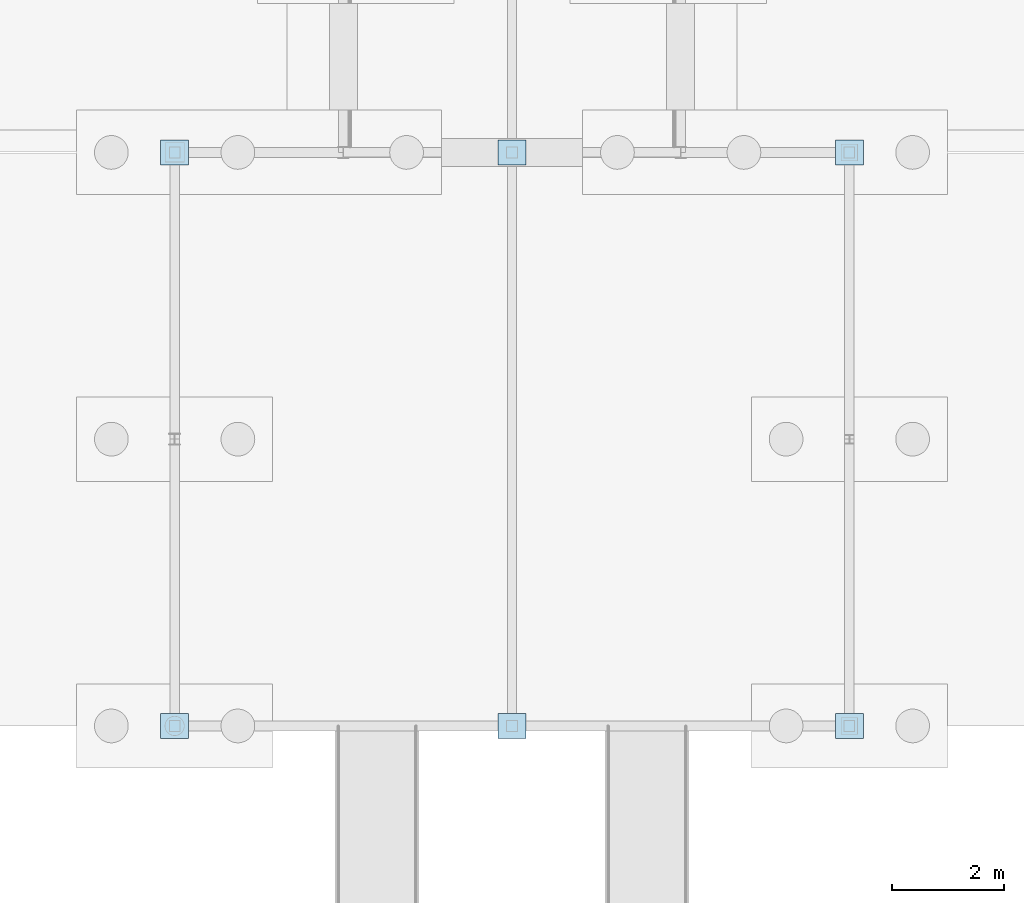
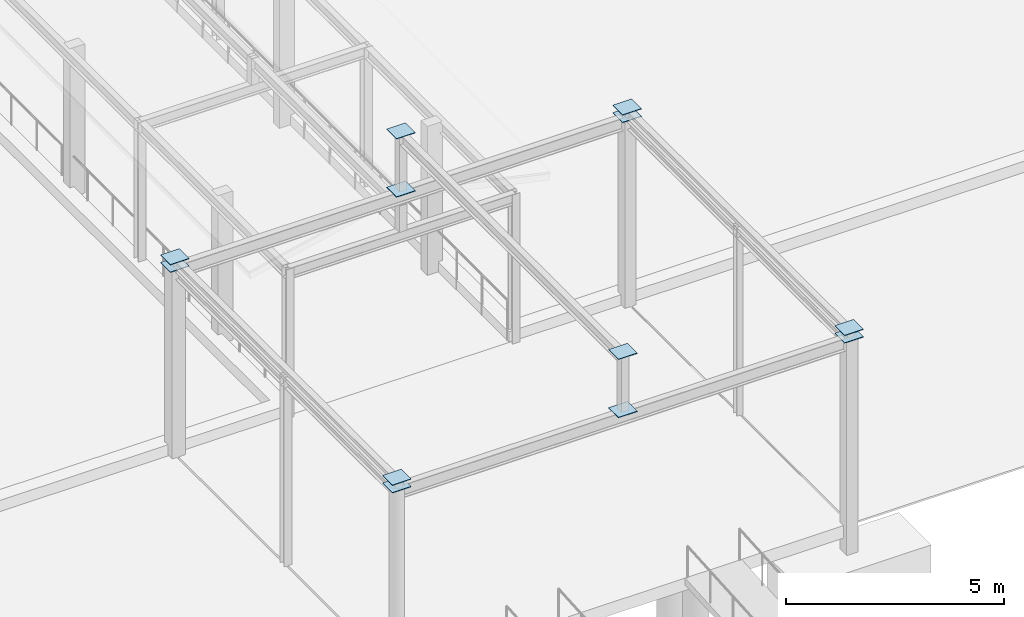
# One storey, part 98 of 137: 12 plates.
"""IFC4 building model written with IfcOpenShell, lengths in metres."""

from ifc_helpers import new_model, si_unit, direction, frame, origin, origin_2d, place, context, subcontext, project, spatial, rectangle, extrude, material, layer, layer_set, type_object, element, save


model = new_model("IFC4")

# Units and contexts
model_context = context("Model", 3, precision=1e-05, world=origin(), true_north=direction((0.0, 1.0)))
body_context = subcontext(model_context, "Body", "Model", "MODEL_VIEW")
ifc_project = project(units=[si_unit("LENGTHUNIT", "METRE"), si_unit("AREAUNIT", "SQUARE_METRE"), si_unit("VOLUMEUNIT", "CUBIC_METRE"), si_unit("PLANEANGLEUNIT", "RADIAN"), si_unit("MASSUNIT", "GRAM", prefix="KILO")], contexts=[model_context])

# Site, building, storey
site_placement = place(None, origin())
site = spatial("IfcSite", under=ifc_project, at=site_placement, CompositionType="ELEMENT")
building_placement = place(site_placement, origin())
building = spatial("IfcBuilding", under=site, at=building_placement, Name="Vondelvale Polytechnic", CompositionType="ELEMENT")
storey_placement = place(building_placement, origin())
storey = spatial("IfcBuildingStorey", under=building, at=storey_placement, Name="L00", CompositionType="ELEMENT", Elevation=0.0)

# Plates
ifc_material = material(Name="Steel Grade 350 (fy = 340 MPa)", Category="steel")
ifc_layer = layer(ifc_material, 0.01611328125)
ifc_layer_set = layer_set([ifc_layer], Name="PLATE-GUSSET-16")
plate_type = type_object("IfcPlateType", Name="PLATE-GUSSET-16", PredefinedType="USERDEFINED", material=ifc_layer_set)
for number, where, z_axis, x_axis, name in (
    (1, (102.0, 0.0, 5.2919921875), (0.0, 0.0, 1.0), (1.0, 0.0, 0.0), "Entrance canopy ridge post plate"),
    (2, (102.0, 0.0, 6.923828125), (0.0, 0.0, 1.0), (1.0, 0.0, 0.0), "Entrance canopy ridge post plate"),
    (3, (96.0, 0.0, 5.281982421875), (0.0, 0.0, 1.0), (1.0, 0.0, 0.0), "Entrance canopy eave post plate"),
    (4, (96.0, 0.0, 5.493896484375), (0.0, 0.0, 1.0), (1.0, 0.0, 0.0), "Entrance canopy eave post plate"),
    (5, (108.0, 0.0, 5.281982421875), (0.0, 0.0, 1.0), (1.0, 0.0, 0.0), "Entrance canopy eave post plate"),
    (6, (108.0, 0.0, 5.493896484375), (0.0, 0.0, 1.0), (1.0, 0.0, 0.0), "Entrance canopy eave post plate"),
    (7, (102.0, 10.199951171875, 5.2919921875), (0.0, 0.0, 1.0), (1.0, 0.0, 0.0), "Entrance canopy ridge post plate"),
    (8, (102.0, 10.199951171875, 6.923828125), (0.0, 0.0, 1.0), (1.0, 0.0, 0.0), "Entrance canopy ridge post plate"),
    (9, (96.0, 10.199951171875, 5.281982421875), (0.0, 0.0, 1.0), (1.0, 0.0, 0.0), "Entrance canopy eave post plate"),
    (10, (96.0, 10.199951171875, 5.493896484375), (0.0, 0.0, 1.0), (1.0, 0.0, 0.0), "Entrance canopy eave post plate"),
    (11, (108.0, 10.199951171875, 5.281982421875), (0.0, 0.0, 1.0), (1.0, 0.0, 0.0), "Entrance canopy eave post plate"),
    (12, (108.0, 10.199951171875, 5.493896484375), (0.0, 0.0, 1.0), (1.0, 0.0, 0.0), "Entrance canopy eave post plate"),
):
    element("IfcPlate", number, at=place(storey_placement, frame(where, z_axis=z_axis, x_axis=x_axis)), inside=storey, type_object=plate_type, Name=name, ObjectType="GUSSET_PLATE", PredefinedType="USERDEFINED", context=body_context, shape_type="SweptSolid", body=[
        extrude(rectangle(XDim=0.5, YDim=0.449951171875, at=origin_2d()), origin(), (0.0, 0.0, 1.0), 0.01611328125),
    ])

save(model, "model.ifc")
